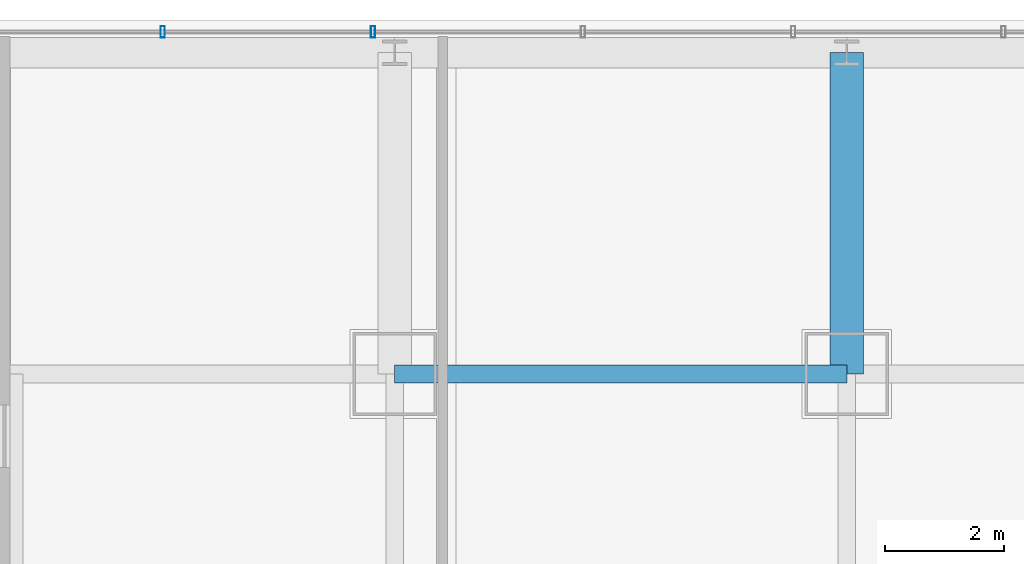
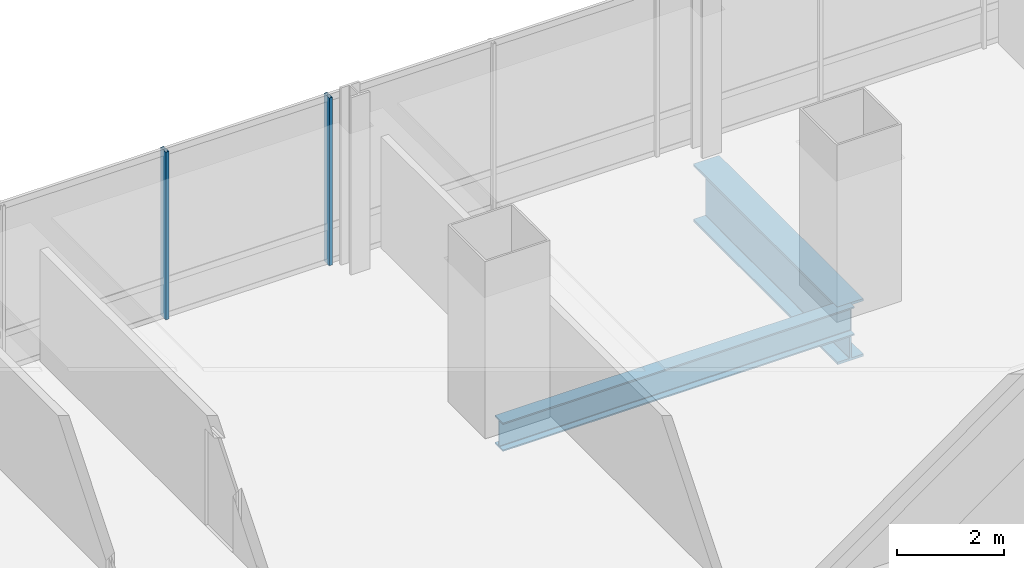
# One storey, part 23 of 38: 2 beams, 2 members, 1 element without a shape of its own.
"""IFC4 building model written with IfcOpenShell, lengths in metres."""

from ifc_helpers import new_model, si_unit, direction, frame, origin, origin_2d, place, context, subcontext, project, spatial, hollow_rectangle, i_section, extrude, material, material_profile, profile_set, type_object, element, aggregate, save


model = new_model("IFC4")

# Units and contexts
model_context = context("Model", 3, precision=1e-05, world=origin(), true_north=direction((0.0, 1.0)))
body_context = subcontext(model_context, "Body", "Model", "MODEL_VIEW")
ifc_project = project(units=[si_unit("LENGTHUNIT", "METRE"), si_unit("AREAUNIT", "SQUARE_METRE"), si_unit("VOLUMEUNIT", "CUBIC_METRE"), si_unit("PLANEANGLEUNIT", "RADIAN"), si_unit("MASSUNIT", "GRAM", prefix="KILO")], contexts=[model_context])

# Site, building, storey
site_placement = place(None, origin())
site = spatial("IfcSite", under=ifc_project, at=site_placement, CompositionType="ELEMENT")
building_placement = place(site_placement, origin())
building = spatial("IfcBuilding", under=site, at=building_placement, Name="Punatoya Terracotta Tower", CompositionType="ELEMENT")
storey_placement = place(building_placement, frame((0.0, 0.0, 151.949951171875)))
storey = spatial("IfcBuildingStorey", under=building, at=storey_placement, Name="L35", CompositionType="ELEMENT", Elevation=151.949951171875)

# Beams
ifc_material_1 = material(Name="Steel S355", Category="steel")
ifc_material_profile_1 = material_profile(ifc_material_1, i_section(OverallWidth=0.300048828125, OverallDepth=0.64990234375, WebThickness=0.01611328125, FlangeThickness=0.031005859375, FilletRadius=0.01806640625, at=origin_2d()))
ifc_profile_set_1 = profile_set([ifc_material_profile_1], Name="Steel S355")
beam_type_1 = type_object("IfcBeamType", Name="BM-PRI-650", PredefinedType="BEAM", material=ifc_profile_set_1)
beam_1_placement = place(storey_placement, frame((-3.800048828125, 17.5, -0.544921875), z_axis=(1.0, 0.0, 0.0), x_axis=(0.0, 1.0, 0.0)))
element("IfcBeam", 1, at=beam_1_placement, inside=storey, type_object=beam_type_1, Name="BM-L35-RG-N2", PredefinedType="BEAM", context=body_context, shape_type="SweptSolid", body=[
    extrude(i_section(OverallWidth=0.300048828125, OverallDepth=0.64990234375, WebThickness=0.01611328125, FlangeThickness=0.031005859375, FilletRadius=0.01806640625, at=origin_2d()), origin(), (0.0, 0.0, 1.0), 7.60009765625),
])
ifc_material_2 = material(Name="Steel S460", Category="steel")
ifc_material_profile_2 = material_profile(ifc_material_2, i_section(OverallWidth=0.56005859375, OverallDepth=1.320068359375, WebThickness=0.035888671875, FlangeThickness=0.054931640625, FilletRadius=0.01806640625, at=origin_2d()))
ifc_profile_set_2 = profile_set([ifc_material_profile_2], Name="Steel S460")
beam_type_2 = type_object("IfcBeamType", Name="BM-TG-BLK", PredefinedType="BEAM", material=ifc_profile_set_2)
beam_2_placement = place(storey_placement, frame((3.800048828125, 17.5, -0.8798828125), z_axis=(0.0, 1.0, 0.0), x_axis=(-1.0, 0.0, 0.0)))
element("IfcBeam", 2, at=beam_2_placement, inside=storey, type_object=beam_type_2, Name="BM-L35-CANT-N3", PredefinedType="BEAM", context=body_context, shape_type="SweptSolid", body=[
    extrude(i_section(OverallWidth=0.56005859375, OverallDepth=1.320068359375, WebThickness=0.035888671875, FlangeThickness=0.054931640625, FilletRadius=0.01806640625, at=origin_2d()), origin(), (0.0, 0.0, 1.0), 5.39990234375),
])

# Curtain wall, members
ifc_material_3 = material(Name="Aluminium 6063-T6 + Double Low-E Glass", Category="aluminium")
curtain_wall_type = type_object("IfcCurtainWallType", Name="CW-M2", PredefinedType="NOTDEFINED", material=ifc_material_3)
curtain_wall_placement = place(storey_placement, origin())
curtain_wall = element("IfcCurtainWall", 3, at=curtain_wall_placement, inside=storey, type_object=curtain_wall_type, Name="L35 Curtain Wall CW-L35-N09-1", PredefinedType="NOTDEFINED")
ifc_material_4 = material(Name="Aluminium 6063-T6", Category="aluminium")
ifc_material_profile_3 = material_profile(ifc_material_4, hollow_rectangle(XDim=0.072021484375, YDim=0.195068359375, WallThickness=0.00439453125, at=origin_2d()))
ifc_profile_set_3 = profile_set([ifc_material_profile_3], Name="Aluminium 6063-T6")
member_type = type_object("IfcMemberType", Name="CW-MUL-M2", PredefinedType="MULLION", material=ifc_profile_set_3)
member_1_placement = place(storey_placement, frame((-4.1669921875, 23.25, 0.0), z_axis=(0.0, 0.0, 1.0), x_axis=(1.0, 0.0, 0.0)))
member_1 = element("IfcMember", 4, at=member_1_placement, type_object=member_type, Name="CW-L35-N09-1 Mullion 06", PredefinedType="MULLION", context=body_context, shape_type="SweptSolid", body=[
    extrude(hollow_rectangle(XDim=0.072021484375, YDim=0.195068359375, WallThickness=0.00439453125, at=origin_2d()), origin(), (0.0, 0.0, 1.0), 3.830078125),
])
member_2_placement = place(storey_placement, frame((-7.700927734375, 23.25, 0.0), z_axis=(0.0, 0.0, 1.0), x_axis=(1.0, 0.0, 0.0)))
member_2 = element("IfcMember", 5, at=member_2_placement, type_object=member_type, Name="CW-L35-N09-1 Mullion 07", PredefinedType="MULLION", context=body_context, shape_type="SweptSolid", body=[
    extrude(hollow_rectangle(XDim=0.072021484375, YDim=0.195068359375, WallThickness=0.00439453125, at=origin_2d()), origin(), (0.0, 0.0, 1.0), 3.830078125),
])
aggregate(curtain_wall, [member_1, member_2])

save(model, "model.ifc")
